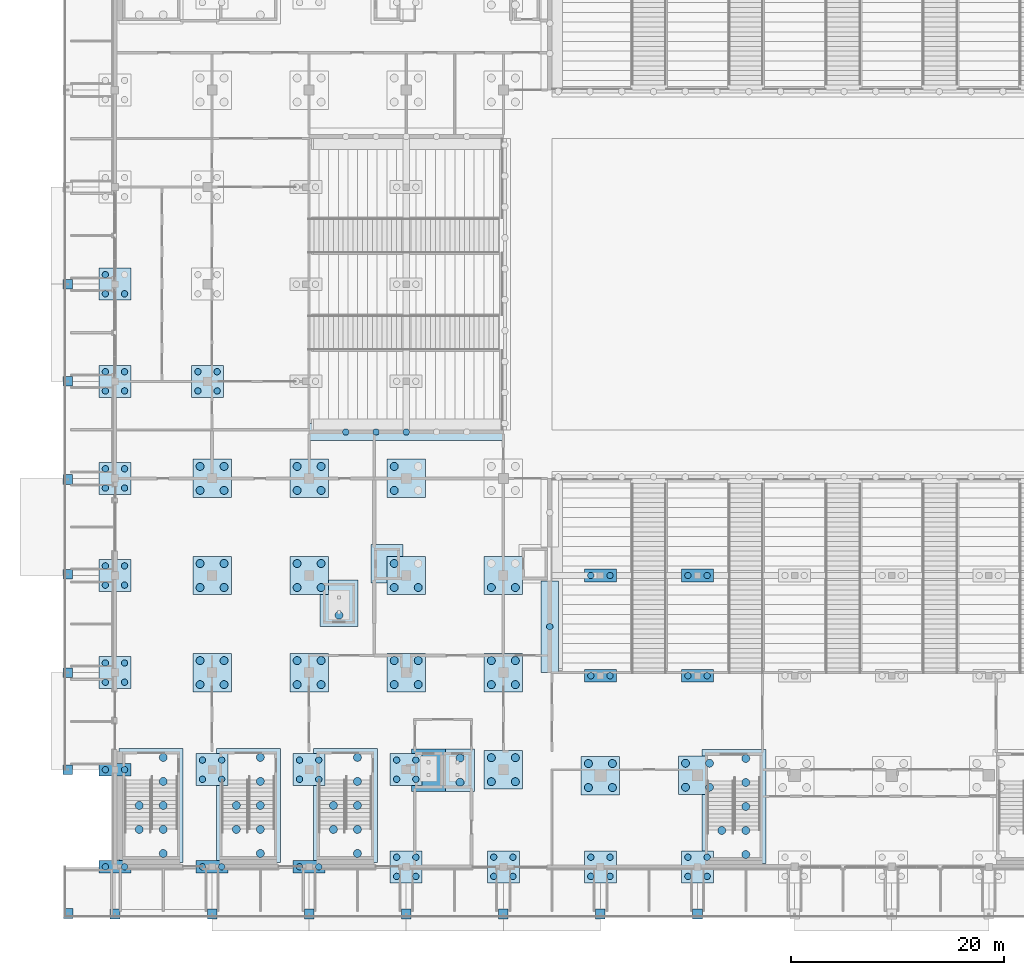
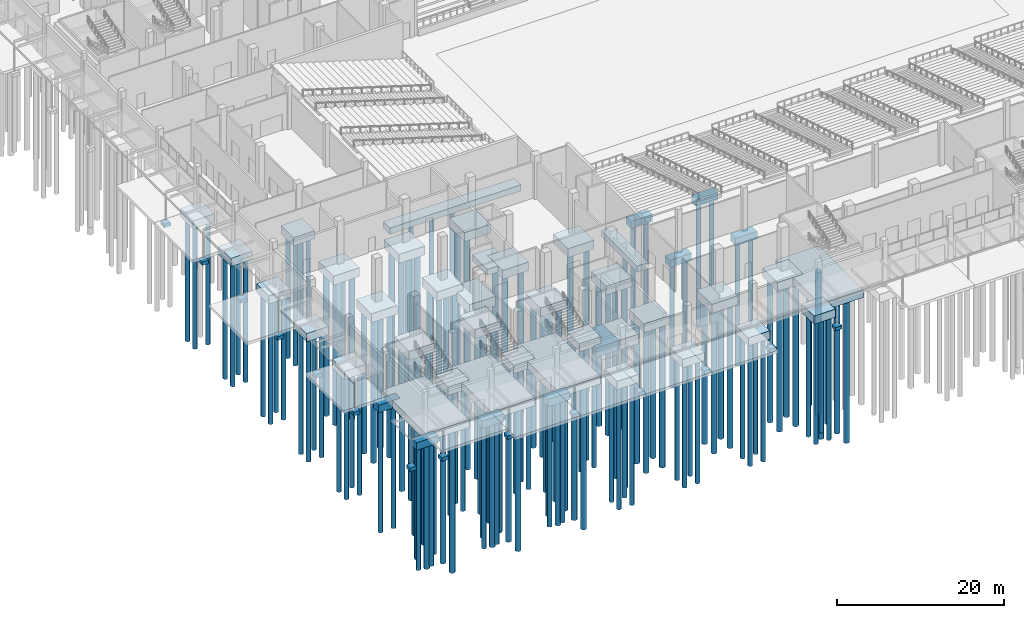
# One storey, part 1 of 129: 152 piles, 59 footings.
"""IFC4 building model written with IfcOpenShell, lengths in metres."""

import ifcopenshell
import ifcopenshell.guid

model = None  # the IFC model being written
_history = None  # IfcOwnerHistory: only IFC2X3 demands one
_inside = {}  # id of a spatial element -> (the spatial element, [elements in it])
_under = {}  # id of a project, library or spatial element -> (it, [spatial elements below it])
_declared = {}  # id of a project -> (the project, [libraries it declares])
_typed = {}  # id of a type object -> (the type object, [elements of that type])
_made_of = {}  # id of a material, layer set ... -> (it, [elements and type objects made of it])


def new_model(schema):
    """Start an empty IFC model of exactly this schema.

    Asked for "IFC4X3", IfcOpenShell would pick the latest addendum, in which some entities
    have other attributes; the version numbers below select the first issue.
    IFC2X3 requires an IfcOwnerHistory on every rooted entity: one is made here for all.
    """
    global model, _history
    if schema == "IFC4X3":
        model = ifcopenshell.file(schema_version=(4, 3, 0, 0))
    else:
        model = ifcopenshell.file(schema=schema)
    _inside.clear()
    _under.clear()
    _declared.clear()
    _typed.clear()
    _made_of.clear()
    _history = None
    if model.schema == "IFC2X3":
        org = make("IfcOrganization", Name="unknown")
        user = make(
            "IfcPersonAndOrganization",
            ThePerson=make("IfcPerson", FamilyName="unknown"),
            TheOrganization=org,
        )
        app = make(
            "IfcApplication",
            ApplicationDeveloper=org,
            Version="unknown",
            ApplicationFullName="unknown",
            ApplicationIdentifier="unknown",
        )
        _history = make(
            "IfcOwnerHistory",
            OwningUser=user,
            OwningApplication=app,
            ChangeAction="ADDED",
            CreationDate=0,
        )
    return model


def make(cls, **values):
    """One entity of the class cls with the attributes given. An attribute that is None is left unset."""
    return model.create_entity(
        cls, **{name: value for name, value in values.items() if value is not None}
    )


def rooted(cls, **values):
    """An entity with a GlobalId (a new one), such as an element, a storey or a relation."""
    return make(cls, GlobalId=ifcopenshell.guid.new(), OwnerHistory=_history, **values)


def si_unit(unit_type, name, prefix=None):
    """IfcSIUnit, for example si_unit("LENGTHUNIT", "METRE", prefix="MILLI")."""
    return make("IfcSIUnit", UnitType=unit_type, Prefix=prefix, Name=name)


def assignment(units):
    """IfcUnitAssignment: the units of a project."""
    return None if units is None else make("IfcUnitAssignment", Units=units)


def point(xyz):
    """IfcCartesianPoint."""
    return None if xyz is None else make("IfcCartesianPoint", Coordinates=xyz)


def direction(xyz):
    """IfcDirection."""
    return None if xyz is None else make("IfcDirection", DirectionRatios=xyz)


def frame(location, z_axis=None, x_axis=None):
    """IfcAxis2Placement3D, a coordinate frame: its origin and axes. An axis left out is left unset."""
    return make(
        "IfcAxis2Placement3D",
        Location=point(location),
        Axis=direction(z_axis),
        RefDirection=direction(x_axis),
    )


def frame_2d(location, x_axis=None):
    """IfcAxis2Placement2D, a coordinate frame in the plane: its origin and x axis."""
    return make(
        "IfcAxis2Placement2D", Location=point(location), RefDirection=direction(x_axis)
    )


def origin():
    """The frame at (0, 0, 0) with its axes left unset."""
    return frame((0.0, 0.0, 0.0))


def origin_2d():
    """The frame at (0, 0) in the plane with its x axis left unset."""
    return frame_2d((0.0, 0.0))


def place(relative_to, where):
    """IfcLocalPlacement: puts the frame where relative to a parent placement (None: the world)."""
    return make(
        "IfcLocalPlacement", PlacementRelTo=relative_to, RelativePlacement=where
    )


def context(
    kind, dimensions, precision=None, world=None, true_north=None, identifier=None
):
    """IfcGeometricRepresentationContext, for example the 3D "Model" context."""
    return make(
        "IfcGeometricRepresentationContext",
        ContextIdentifier=identifier,
        ContextType=kind,
        CoordinateSpaceDimension=dimensions,
        Precision=precision,
        WorldCoordinateSystem=world,
        TrueNorth=true_north,
    )


def subcontext(parent, identifier, kind, view, scale=None):
    """IfcGeometricRepresentationSubContext, for example "Body" below "Model"."""
    return make(
        "IfcGeometricRepresentationSubContext",
        ContextIdentifier=identifier,
        ContextType=kind,
        ParentContext=parent,
        TargetScale=scale,
        TargetView=view,
    )


def project(units=None, contexts=None):
    """IfcProject with its units and contexts."""
    return rooted(
        "IfcProject",
        Name="project",
        RepresentationContexts=contexts,
        UnitsInContext=assignment(units),
    )


def spatial(cls, under=None, at=None, **own):
    """A site, building, storey or space (cls), placed at a placement, below another one or the project."""
    s = rooted(cls, ObjectPlacement=at, **own)
    if under is not None:
        _under.setdefault(under.id(), (under, []))[1].append(s)
    return s


def polyline(points):
    """IfcPolyline through the points."""
    return make("IfcPolyline", Points=[point(p) for p in points])


def profile(cls, at=None, kind="AREA", **sizes):
    """A parametric profile (cls). Its sizes go by their IFC names, for example OverallWidth=200.0."""
    return make(cls, ProfileType=kind, Position=at, **sizes)


def rectangle(**sizes):
    """IfcRectangleProfileDef."""
    return profile("IfcRectangleProfileDef", **sizes)


def circle(**sizes):
    """IfcCircleProfileDef."""
    return profile("IfcCircleProfileDef", **sizes)


def outline(outer, holes=None, kind="AREA"):
    """IfcArbitraryClosedProfileDef: a profile drawn as a closed curve; with holes, ...WithVoids."""
    if holes is None:
        return make("IfcArbitraryClosedProfileDef", ProfileType=kind, OuterCurve=outer)
    return make(
        "IfcArbitraryProfileDefWithVoids",
        ProfileType=kind,
        OuterCurve=outer,
        InnerCurves=holes,
    )


def extrude(swept, where, along, depth):
    """IfcExtrudedAreaSolid: the profile swept, set in the frame where, extruded along a direction by depth."""
    return make(
        "IfcExtrudedAreaSolid",
        SweptArea=swept,
        Position=where,
        ExtrudedDirection=direction(along),
        Depth=depth,
    )


def shape(context_of_items, identifier, shape_type, items):
    """IfcShapeRepresentation: the items that make up one representation, for example the "Body"."""
    return make(
        "IfcShapeRepresentation",
        ContextOfItems=context_of_items,
        RepresentationIdentifier=identifier,
        RepresentationType=shape_type,
        Items=items,
    )


def material(Name=None, Category=None):
    """IfcMaterial."""
    return make("IfcMaterial", Name=Name, Category=Category)


def material_profile(
    of_material, cross_section, Name=None, Category=None, Priority=None
):
    """IfcMaterialProfile: a cross section and its material."""
    return make(
        "IfcMaterialProfile",
        Name=Name,
        Material=of_material,
        Profile=cross_section,
        Priority=Priority,
        Category=Category,
    )


def profile_set(profiles, Name=None, composite=None):
    """IfcMaterialProfileSet."""
    return make(
        "IfcMaterialProfileSet",
        Name=Name,
        MaterialProfiles=profiles,
        CompositeProfile=composite,
    )


def made_of(thing, what):
    """Note that an element or type object is made of a material, layer set ...; save() writes the relation."""
    if what is not None:
        _made_of.setdefault(what.id(), (what, []))[1].append(thing)
    return thing


def type_object(cls, material=None, **own):
    """A type object (cls), such as IfcWallType, which elements share."""
    return made_of(rooted(cls, **own), material)


def element(
    cls,
    number,
    at=None,
    inside=None,
    cuts=None,
    type_object=None,
    material=None,
    context=None,
    identifier="Body",
    shape_type=None,
    held_by="IfcProductDefinitionShape",
    body=None,
    shapes=None,
    **own,
):
    """One element of the class cls, such as IfcWall. Its Tag is "e" and its number.

    at: its placement. inside: the storey or other place that contains it. cuts: it is an
    opening in that element (IfcRelVoidsElement). A single representation is given by context,
    identifier, shape_type and body (its items); several are given by shapes. held_by: the class
    of the entity that holds the representations. save() writes the other relations.
    """
    e = rooted(cls, Tag="e%d" % number, ObjectPlacement=at, **own)
    if body is not None:
        shapes = [shape(context, identifier, shape_type, body)]
    if shapes is not None:
        e.Representation = make(held_by, Representations=shapes)
    if inside is not None:
        _inside.setdefault(inside.id(), (inside, []))[1].append(e)
    if cuts is not None:
        rooted(
            "IfcRelVoidsElement", RelatingBuildingElement=cuts, RelatedOpeningElement=e
        )
    if type_object is not None:
        _typed.setdefault(type_object.id(), (type_object, []))[1].append(e)
    return made_of(e, material)


def aggregate(whole, parts):
    """IfcRelAggregates: a whole, such as a stair, and the parts it consists of."""
    return rooted("IfcRelAggregates", RelatingObject=whole, RelatedObjects=parts)


def save(model, path):
    """Write the relations noted so far, then the file.

    IfcRelAggregates (storeys below a building ...), IfcRelContainedInSpatialStructure (elements
    in a storey), IfcRelDefinesByType, IfcRelAssociatesMaterial and IfcRelDeclares: one each for
    every whole, place, type object, material and project.
    """
    for whole, parts in _under.values():
        aggregate(whole, parts)
    for where, things in _inside.values():
        rooted(
            "IfcRelContainedInSpatialStructure",
            RelatedElements=things,
            RelatingStructure=where,
        )
    for kind, things in _typed.values():
        rooted("IfcRelDefinesByType", RelatedObjects=things, RelatingType=kind)
    for what, things in _made_of.values():
        rooted("IfcRelAssociatesMaterial", RelatedObjects=things, RelatingMaterial=what)
    for by, libraries in _declared.values():
        rooted("IfcRelDeclares", RelatingContext=by, RelatedDefinitions=libraries)
    model.write(path)


model = new_model("IFC4")

# Units and contexts
model_context = context("Model", 3, precision=1e-05, world=origin(), true_north=direction((0.0, 1.0)))
body_context = subcontext(model_context, "Body", "Model", "MODEL_VIEW")
ifc_project = project(units=[si_unit("LENGTHUNIT", "METRE"), si_unit("AREAUNIT", "SQUARE_METRE"), si_unit("VOLUMEUNIT", "CUBIC_METRE"), si_unit("PLANEANGLEUNIT", "RADIAN"), si_unit("MASSUNIT", "GRAM", prefix="KILO")], contexts=[model_context])

# Site, building, storey
site_placement = place(None, origin())
site = spatial("IfcSite", under=ifc_project, at=site_placement, CompositionType="ELEMENT")
building_placement = place(site_placement, origin())
building = spatial("IfcBuilding", under=site, at=building_placement, Name="Shirokan Park Arena", CompositionType="ELEMENT")
storey_placement = place(building_placement, origin())
storey = spatial("IfcBuildingStorey", under=building, at=storey_placement, Name="L00", CompositionType="ELEMENT", Elevation=0.0)

# Piles
ifc_material = material(Name="Concrete C30", Category="concrete")
ifc_material_profile_1 = material_profile(ifc_material, circle(Radius=0.300048828125, at=origin_2d()), Name="D600")
ifc_profile_set_1 = profile_set([ifc_material_profile_1], Name="Concrete C30")
pile_type_1 = type_object("IfcPileType", Name="Bored pile 600", PredefinedType="BORED", material=ifc_profile_set_1)
for number, where, z_axis, x_axis, name in (
    (1, (-0.89990234375, 0.0, -1.5), (0.0, 0.0, -1.0), (1.0, 0.0, 0.0), "Bored pile 1A 1"),
    (2, (0.89990234375, 0.0, -1.5), (0.0, 0.0, -1.0), (1.0, 0.0, 0.0), "Bored pile 1A 2"),
    (3, (-0.89990234375, 9.10009765625, -1.5), (0.0, 0.0, -1.0), (1.0, 0.0, 0.0), "Bored pile 1B 1"),
    (4, (0.89990234375, 9.10009765625, -1.5), (0.0, 0.0, -1.0), (1.0, 0.0, 0.0), "Bored pile 1B 2"),
    (5, (-0.89990234375, 17.300048828125, -1.60009765625), (0.0, 0.0, -1.0), (1.0, 0.0, 0.0), "Bored pile 1C 1"),
    (6, (-0.89990234375, 19.10009765625, -1.60009765625), (0.0, 0.0, -1.0), (1.0, 0.0, 0.0), "Bored pile 1C 2"),
    (7, (0.89990234375, 17.300048828125, -1.60009765625), (0.0, 0.0, -1.0), (1.0, 0.0, 0.0), "Bored pile 1C 3"),
    (8, (0.89990234375, 19.10009765625, -1.60009765625), (0.0, 0.0, -1.0), (1.0, 0.0, 0.0), "Bored pile 1C 4"),
    (9, (-0.89990234375, 26.39990234375, -1.60009765625), (0.0, 0.0, -1.0), (1.0, 0.0, 0.0), "Bored pile 1D 1"),
    (10, (-0.89990234375, 28.199951171875, -1.60009765625), (0.0, 0.0, -1.0), (1.0, 0.0, 0.0), "Bored pile 1D 2"),
    (11, (0.89990234375, 26.39990234375, -1.60009765625), (0.0, 0.0, -1.0), (1.0, 0.0, 0.0), "Bored pile 1D 3"),
    (12, (0.89990234375, 28.199951171875, -1.60009765625), (0.0, 0.0, -1.0), (1.0, 0.0, 0.0), "Bored pile 1D 4"),
    (13, (-0.89990234375, 35.5, -1.60009765625), (0.0, 0.0, -1.0), (1.0, 0.0, 0.0), "Bored pile 1E 1"),
    (14, (-0.89990234375, 37.300048828125, -1.60009765625), (0.0, 0.0, -1.0), (1.0, 0.0, 0.0), "Bored pile 1E 2"),
    (15, (0.89990234375, 35.5, -1.60009765625), (0.0, 0.0, -1.0), (1.0, 0.0, 0.0), "Bored pile 1E 3"),
    (16, (0.89990234375, 37.300048828125, -1.60009765625), (0.0, 0.0, -1.0), (1.0, 0.0, 0.0), "Bored pile 1E 4"),
    (17, (-0.89990234375, 44.60009765625, -1.60009765625), (0.0, 0.0, -1.0), (1.0, 0.0, 0.0), "Bored pile 1F 1"),
    (18, (-0.89990234375, 46.39990234375, -1.60009765625), (0.0, 0.0, -1.0), (1.0, 0.0, 0.0), "Bored pile 1F 2"),
    (19, (0.89990234375, 44.60009765625, -1.60009765625), (0.0, 0.0, -1.0), (1.0, 0.0, 0.0), "Bored pile 1F 3"),
    (20, (0.89990234375, 46.39990234375, -1.60009765625), (0.0, 0.0, -1.0), (1.0, 0.0, 0.0), "Bored pile 1F 4"),
    (21, (-0.89990234375, 53.699951171875, -1.60009765625), (0.0, 0.0, -1.0), (1.0, 0.0, 0.0), "Bored pile 1G 1"),
    (22, (-0.89990234375, 55.5, -1.60009765625), (0.0, 0.0, -1.0), (1.0, 0.0, 0.0), "Bored pile 1G 2"),
    (23, (0.89990234375, 53.699951171875, -1.60009765625), (0.0, 0.0, -1.0), (1.0, 0.0, 0.0), "Bored pile 1G 3"),
    (24, (8.199951171875, 0.0, -1.5), (0.0, 0.0, -1.0), (1.0, 0.0, 0.0), "Bored pile 2A 1"),
    (25, (10.0, 0.0, -1.5), (0.0, 0.0, -1.0), (1.0, 0.0, 0.0), "Bored pile 2A 2"),
    (26, (8.199951171875, 8.199951171875, -1.60009765625), (0.0, 0.0, -1.0), (1.0, 0.0, 0.0), "Bored pile 2B 1"),
    (27, (8.199951171875, 10.0, -1.60009765625), (0.0, 0.0, -1.0), (1.0, 0.0, 0.0), "Bored pile 2B 2"),
    (28, (10.0, 8.199951171875, -1.60009765625), (0.0, 0.0, -1.0), (1.0, 0.0, 0.0), "Bored pile 2B 3"),
    (29, (10.0, 10.0, -1.60009765625), (0.0, 0.0, -1.0), (1.0, 0.0, 0.0), "Bored pile 2B 4"),
    (30, (7.77490234375, 44.60009765625, -1.60009765625), (0.0, 0.0, -1.0), (1.0, 0.0, 0.0), "Bored pile 2F 1"),
    (31, (7.77490234375, 46.39990234375, -1.60009765625), (0.0, 0.0, -1.0), (1.0, 0.0, 0.0), "Bored pile 2F 2"),
    (32, (9.574951171875, 44.60009765625, -1.60009765625), (0.0, 0.0, -1.0), (1.0, 0.0, 0.0), "Bored pile 2F 3"),
    (33, (9.574951171875, 46.39990234375, -1.60009765625), (0.0, 0.0, -1.0), (1.0, 0.0, 0.0), "Bored pile 2F 4"),
    (34, (17.300048828125, 0.0, -1.5), (0.0, 0.0, -1.0), (1.0, 0.0, 0.0), "Bored pile 3A 1"),
    (35, (19.10009765625, 0.0, -1.5), (0.0, 0.0, -1.0), (1.0, 0.0, 0.0), "Bored pile 3A 2"),
    (36, (17.300048828125, 8.199951171875, -1.60009765625), (0.0, 0.0, -1.0), (1.0, 0.0, 0.0), "Bored pile 3B 1"),
    (37, (17.300048828125, 10.0, -1.60009765625), (0.0, 0.0, -1.0), (1.0, 0.0, 0.0), "Bored pile 3B 2"),
    (38, (19.10009765625, 8.199951171875, -1.60009765625), (0.0, 0.0, -1.0), (1.0, 0.0, 0.0), "Bored pile 3B 3"),
    (39, (19.10009765625, 10.0, -1.60009765625), (0.0, 0.0, -1.0), (1.0, 0.0, 0.0), "Bored pile 3B 4"),
    (40, (26.39990234375, -0.89990234375, -1.60009765625), (0.0, 0.0, -1.0), (1.0, 0.0, 0.0), "Bored pile 4A 1"),
    (41, (26.39990234375, 0.89990234375, -1.60009765625), (0.0, 0.0, -1.0), (1.0, 0.0, 0.0), "Bored pile 4A 2"),
    (42, (28.199951171875, -0.89990234375, -1.60009765625), (0.0, 0.0, -1.0), (1.0, 0.0, 0.0), "Bored pile 4A 3"),
    (43, (28.199951171875, 0.89990234375, -1.60009765625), (0.0, 0.0, -1.0), (1.0, 0.0, 0.0), "Bored pile 4A 4"),
    (44, (26.39990234375, 8.199951171875, -1.60009765625), (0.0, 0.0, -1.0), (1.0, 0.0, 0.0), "Bored pile 4B 1"),
    (45, (26.39990234375, 10.0, -1.60009765625), (0.0, 0.0, -1.0), (1.0, 0.0, 0.0), "Bored pile 4B 2"),
    (46, (28.199951171875, 8.199951171875, -1.60009765625), (0.0, 0.0, -1.0), (1.0, 0.0, 0.0), "Bored pile 4B 3"),
    (47, (28.199951171875, 10.0, -1.60009765625), (0.0, 0.0, -1.0), (1.0, 0.0, 0.0), "Bored pile 4B 4"),
    (48, (35.5, -0.89990234375, -1.60009765625), (0.0, 0.0, -1.0), (1.0, 0.0, 0.0), "Bored pile 5A 1"),
    (49, (35.5, 0.89990234375, -1.60009765625), (0.0, 0.0, -1.0), (1.0, 0.0, 0.0), "Bored pile 5A 2"),
    (50, (37.300048828125, -0.89990234375, -1.60009765625), (0.0, 0.0, -1.0), (1.0, 0.0, 0.0), "Bored pile 5A 3"),
    (51, (37.300048828125, 0.89990234375, -1.60009765625), (0.0, 0.0, -1.0), (1.0, 0.0, 0.0), "Bored pile 5A 4"),
    (52, (44.60009765625, -0.89990234375, -1.60009765625), (0.0, 0.0, -1.0), (1.0, 0.0, 0.0), "Bored pile 6A 1"),
    (53, (44.60009765625, 0.89990234375, -1.60009765625), (0.0, 0.0, -1.0), (1.0, 0.0, 0.0), "Bored pile 6A 2"),
    (54, (46.39990234375, -0.89990234375, -1.60009765625), (0.0, 0.0, -1.0), (1.0, 0.0, 0.0), "Bored pile 6A 3"),
    (55, (46.39990234375, 0.89990234375, -1.60009765625), (0.0, 0.0, -1.0), (1.0, 0.0, 0.0), "Bored pile 6A 4"),
    (56, (44.60009765625, 17.89990234375, -1.5), (0.0, 0.0, -1.0), (1.0, 0.0, 0.0), "Bored pile 6C 1"),
    (57, (46.39990234375, 17.89990234375, -1.5), (0.0, 0.0, -1.0), (1.0, 0.0, 0.0), "Bored pile 6C 2"),
    (58, (44.60009765625, 27.300048828125, -1.5), (0.0, 0.0, -1.0), (1.0, 0.0, 0.0), "Bored pile 6D 1"),
    (59, (46.39990234375, 27.300048828125, -1.5), (0.0, 0.0, -1.0), (1.0, 0.0, 0.0), "Bored pile 6D 2"),
    (60, (53.699951171875, -0.89990234375, -1.60009765625), (0.0, 0.0, -1.0), (1.0, 0.0, 0.0), "Bored pile 7A 1"),
    (61, (53.699951171875, 0.89990234375, -1.60009765625), (0.0, 0.0, -1.0), (1.0, 0.0, 0.0), "Bored pile 7A 2"),
    (62, (55.5, -0.89990234375, -1.60009765625), (0.0, 0.0, -1.0), (1.0, 0.0, 0.0), "Bored pile 7A 3"),
    (63, (55.5, 0.89990234375, -1.60009765625), (0.0, 0.0, -1.0), (1.0, 0.0, 0.0), "Bored pile 7A 4"),
    (64, (53.699951171875, 17.89990234375, -1.5), (0.0, 0.0, -1.0), (1.0, 0.0, 0.0), "Bored pile 7C 1"),
    (65, (55.5, 17.89990234375, -1.5), (0.0, 0.0, -1.0), (1.0, 0.0, 0.0), "Bored pile 7C 2"),
    (66, (53.699951171875, 27.300048828125, -1.5), (0.0, 0.0, -1.0), (1.0, 0.0, 0.0), "Bored pile 7D 1"),
    (67, (55.5, 27.300048828125, -1.5), (0.0, 0.0, -1.0), (1.0, 0.0, 0.0), "Bored pile 7D 2"),
    (68, (40.75, 22.50439453125, -1.300048828125), (0.0, 0.0, -1.0), (1.0, 0.0, 0.0), "Bored pile flank wall S1 1"),
    (69, (27.300048828125, 40.75, -1.300048828125), (0.0, 0.0, -1.0), (1.0, 0.0, 0.0), "Bored pile flank wall W1 3"),
    (70, (24.466552734375, 40.75, -1.300048828125), (0.0, 0.0, -1.0), (1.0, 0.0, 0.0), "Bored pile flank wall W1 4"),
    (71, (21.63330078125, 40.75, -1.300048828125), (0.0, 0.0, -1.0), (1.0, 0.0, 0.0), "Bored pile flank wall W1 5"),
):
    element("IfcPile", number, at=place(storey_placement, frame(where, z_axis=z_axis, x_axis=x_axis)), inside=storey, type_object=pile_type_1, Name=name, PredefinedType="BORED", context=body_context, shape_type="SweptSolid", body=[
        extrude(circle(Radius=0.300048828125, at=origin_2d()), origin(), (0.0, 0.0, 1.0), 18.0),
    ])
ifc_material_profile_2 = material_profile(ifc_material, circle(Radius=0.375, at=origin_2d()), Name="D750")
ifc_profile_set_2 = profile_set([ifc_material_profile_2], Name="Concrete C30")
pile_type_2 = type_object("IfcPileType", Name="Bored pile 750", PredefinedType="BORED", material=ifc_profile_set_2)
for number, where, z_axis, x_axis, name in (
    (72, (7.97509765625, 17.074951171875, -1.699951171875), (0.0, 0.0, -1.0), (1.0, 0.0, 0.0), "Bored pile 2C 1"),
    (73, (7.97509765625, 19.324951171875, -1.699951171875), (0.0, 0.0, -1.0), (1.0, 0.0, 0.0), "Bored pile 2C 2"),
    (74, (10.22509765625, 17.074951171875, -1.699951171875), (0.0, 0.0, -1.0), (1.0, 0.0, 0.0), "Bored pile 2C 3"),
    (75, (10.22509765625, 19.324951171875, -1.699951171875), (0.0, 0.0, -1.0), (1.0, 0.0, 0.0), "Bored pile 2C 4"),
    (76, (7.97509765625, 26.175048828125, -1.699951171875), (0.0, 0.0, -1.0), (1.0, 0.0, 0.0), "Bored pile 2D 1"),
    (77, (7.97509765625, 28.425048828125, -1.699951171875), (0.0, 0.0, -1.0), (1.0, 0.0, 0.0), "Bored pile 2D 2"),
    (78, (10.22509765625, 26.175048828125, -1.699951171875), (0.0, 0.0, -1.0), (1.0, 0.0, 0.0), "Bored pile 2D 3"),
    (79, (10.22509765625, 28.425048828125, -1.699951171875), (0.0, 0.0, -1.0), (1.0, 0.0, 0.0), "Bored pile 2D 4"),
    (80, (7.97509765625, 35.27490234375, -1.699951171875), (0.0, 0.0, -1.0), (1.0, 0.0, 0.0), "Bored pile 2E 1"),
    (81, (7.97509765625, 37.52490234375, -1.699951171875), (0.0, 0.0, -1.0), (1.0, 0.0, 0.0), "Bored pile 2E 2"),
    (82, (10.22509765625, 35.27490234375, -1.699951171875), (0.0, 0.0, -1.0), (1.0, 0.0, 0.0), "Bored pile 2E 3"),
    (83, (10.22509765625, 37.52490234375, -1.699951171875), (0.0, 0.0, -1.0), (1.0, 0.0, 0.0), "Bored pile 2E 4"),
    (84, (17.074951171875, 17.074951171875, -1.699951171875), (0.0, 0.0, -1.0), (1.0, 0.0, 0.0), "Bored pile 3C 1"),
    (85, (17.074951171875, 19.324951171875, -1.699951171875), (0.0, 0.0, -1.0), (1.0, 0.0, 0.0), "Bored pile 3C 2"),
    (86, (19.324951171875, 17.074951171875, -1.699951171875), (0.0, 0.0, -1.0), (1.0, 0.0, 0.0), "Bored pile 3C 3"),
    (87, (19.324951171875, 19.324951171875, -1.699951171875), (0.0, 0.0, -1.0), (1.0, 0.0, 0.0), "Bored pile 3C 4"),
    (88, (17.074951171875, 26.175048828125, -1.699951171875), (0.0, 0.0, -1.0), (1.0, 0.0, 0.0), "Bored pile 3D 1"),
    (89, (17.074951171875, 28.425048828125, -1.699951171875), (0.0, 0.0, -1.0), (1.0, 0.0, 0.0), "Bored pile 3D 2"),
    (90, (19.324951171875, 26.175048828125, -1.699951171875), (0.0, 0.0, -1.0), (1.0, 0.0, 0.0), "Bored pile 3D 3"),
    (91, (19.324951171875, 28.425048828125, -1.699951171875), (0.0, 0.0, -1.0), (1.0, 0.0, 0.0), "Bored pile 3D 4"),
    (92, (17.074951171875, 35.27490234375, -1.699951171875), (0.0, 0.0, -1.0), (1.0, 0.0, 0.0), "Bored pile 3E 1"),
    (93, (17.074951171875, 37.52490234375, -1.699951171875), (0.0, 0.0, -1.0), (1.0, 0.0, 0.0), "Bored pile 3E 2"),
    (94, (19.324951171875, 35.27490234375, -1.699951171875), (0.0, 0.0, -1.0), (1.0, 0.0, 0.0), "Bored pile 3E 3"),
    (95, (19.324951171875, 37.52490234375, -1.699951171875), (0.0, 0.0, -1.0), (1.0, 0.0, 0.0), "Bored pile 3E 4"),
    (96, (26.175048828125, 17.074951171875, -1.699951171875), (0.0, 0.0, -1.0), (1.0, 0.0, 0.0), "Bored pile 4C 1"),
    (97, (26.175048828125, 19.324951171875, -1.699951171875), (0.0, 0.0, -1.0), (1.0, 0.0, 0.0), "Bored pile 4C 2"),
    (98, (28.425048828125, 17.074951171875, -1.699951171875), (0.0, 0.0, -1.0), (1.0, 0.0, 0.0), "Bored pile 4C 3"),
    (99, (28.425048828125, 19.324951171875, -1.699951171875), (0.0, 0.0, -1.0), (1.0, 0.0, 0.0), "Bored pile 4C 4"),
    (100, (26.175048828125, 26.175048828125, -1.699951171875), (0.0, 0.0, -1.0), (1.0, 0.0, 0.0), "Bored pile 4D 1"),
    (101, (26.175048828125, 28.425048828125, -1.699951171875), (0.0, 0.0, -1.0), (1.0, 0.0, 0.0), "Bored pile 4D 2"),
    (102, (28.425048828125, 26.175048828125, -1.699951171875), (0.0, 0.0, -1.0), (1.0, 0.0, 0.0), "Bored pile 4D 3"),
    (103, (26.175048828125, 35.27490234375, -1.699951171875), (0.0, 0.0, -1.0), (1.0, 0.0, 0.0), "Bored pile 4E 1"),
    (104, (26.175048828125, 37.52490234375, -1.699951171875), (0.0, 0.0, -1.0), (1.0, 0.0, 0.0), "Bored pile 4E 2"),
    (105, (35.27490234375, 7.97509765625, -1.699951171875), (0.0, 0.0, -1.0), (1.0, 0.0, 0.0), "Bored pile 5B 1"),
    (106, (35.27490234375, 10.22509765625, -1.699951171875), (0.0, 0.0, -1.0), (1.0, 0.0, 0.0), "Bored pile 5B 2"),
    (107, (37.52490234375, 7.97509765625, -1.699951171875), (0.0, 0.0, -1.0), (1.0, 0.0, 0.0), "Bored pile 5B 3"),
    (108, (37.52490234375, 10.22509765625, -1.699951171875), (0.0, 0.0, -1.0), (1.0, 0.0, 0.0), "Bored pile 5B 4"),
    (109, (35.27490234375, 17.074951171875, -1.699951171875), (0.0, 0.0, -1.0), (1.0, 0.0, 0.0), "Bored pile 5C 1"),
    (110, (35.27490234375, 19.324951171875, -1.699951171875), (0.0, 0.0, -1.0), (1.0, 0.0, 0.0), "Bored pile 5C 2"),
    (111, (37.52490234375, 17.074951171875, -1.699951171875), (0.0, 0.0, -1.0), (1.0, 0.0, 0.0), "Bored pile 5C 3"),
    (112, (37.52490234375, 19.324951171875, -1.699951171875), (0.0, 0.0, -1.0), (1.0, 0.0, 0.0), "Bored pile 5C 4"),
    (113, (35.27490234375, 26.175048828125, -1.699951171875), (0.0, 0.0, -1.0), (1.0, 0.0, 0.0), "Bored pile 5D 1"),
    (114, (37.52490234375, 26.175048828125, -1.699951171875), (0.0, 0.0, -1.0), (1.0, 0.0, 0.0), "Bored pile 5D 3"),
    (115, (44.375, 7.425048828125, -1.699951171875), (0.0, 0.0, -1.0), (1.0, 0.0, 0.0), "Bored pile 6B 1"),
    (116, (44.375, 9.675048828125, -1.699951171875), (0.0, 0.0, -1.0), (1.0, 0.0, 0.0), "Bored pile 6B 2"),
    (117, (46.625, 7.425048828125, -1.699951171875), (0.0, 0.0, -1.0), (1.0, 0.0, 0.0), "Bored pile 6B 3"),
    (118, (46.625, 9.675048828125, -1.699951171875), (0.0, 0.0, -1.0), (1.0, 0.0, 0.0), "Bored pile 6B 4"),
    (119, (53.47509765625, 7.449951171875, -1.699951171875), (0.0, 0.0, -1.0), (1.0, 0.0, 0.0), "Bored pile 7B 1"),
    (120, (53.47509765625, 9.699951171875, -1.699951171875), (0.0, 0.0, -1.0), (1.0, 0.0, 0.0), "Bored pile 7B 2"),
    (121, (55.72509765625, 7.449951171875, -1.699951171875), (0.0, 0.0, -1.0), (1.0, 0.0, 0.0), "Bored pile 7B 3"),
    (122, (55.72509765625, 9.699951171875, -1.699951171875), (0.0, 0.0, -1.0), (1.0, 0.0, 0.0), "Bored pile 7B 4"),
    (123, (32.35009765625, 7.925048828125, -2.800048828125), (0.0, 0.0, -1.0), (1.0, 0.0, 0.0), "Bored pile Passenger Lift 1.2 1"),
    (124, (32.35009765625, 10.175048828125, -2.800048828125), (0.0, 0.0, -1.0), (1.0, 0.0, 0.0), "Bored pile Passenger Lift 1.2 2"),
    (125, (21.0, 23.574951171875, -2.800048828125), (0.0, 0.0, -1.0), (1.0, 0.0, 0.0), "Bored pile Service Lift 1 1"),
    (126, (2.27490234375, 3.5, -1.5), (0.0, 0.0, -1.0), (1.0, 0.0, 0.0), "Bored pile Exit Stair 1.A 1"),
    (127, (2.27490234375, 5.75, -1.5), (0.0, 0.0, -1.0), (1.0, 0.0, 0.0), "Bored pile Exit Stair 1.A 2"),
    (128, (4.52490234375, 1.25, -1.5), (0.0, 0.0, -1.0), (1.0, 0.0, 0.0), "Bored pile Exit Stair 1.A 3"),
    (129, (4.52490234375, 3.5, -1.5), (0.0, 0.0, -1.0), (1.0, 0.0, 0.0), "Bored pile Exit Stair 1.A 4"),
    (130, (4.52490234375, 5.75, -1.5), (0.0, 0.0, -1.0), (1.0, 0.0, 0.0), "Bored pile Exit Stair 1.A 5"),
    (131, (4.52490234375, 8.0, -1.5), (0.0, 0.0, -1.0), (1.0, 0.0, 0.0), "Bored pile Exit Stair 1.A 6"),
    (132, (4.52490234375, 10.25, -1.5), (0.0, 0.0, -1.0), (1.0, 0.0, 0.0), "Bored pile Exit Stair 1.A 7"),
    (133, (11.375, 3.5, -1.5), (0.0, 0.0, -1.0), (1.0, 0.0, 0.0), "Bored pile Exit Stair 1.B 1"),
    (134, (11.375, 5.75, -1.5), (0.0, 0.0, -1.0), (1.0, 0.0, 0.0), "Bored pile Exit Stair 1.B 2"),
    (135, (13.625, 1.25, -1.5), (0.0, 0.0, -1.0), (1.0, 0.0, 0.0), "Bored pile Exit Stair 1.B 3"),
    (136, (13.625, 3.5, -1.5), (0.0, 0.0, -1.0), (1.0, 0.0, 0.0), "Bored pile Exit Stair 1.B 4"),
    (137, (13.625, 5.75, -1.5), (0.0, 0.0, -1.0), (1.0, 0.0, 0.0), "Bored pile Exit Stair 1.B 5"),
    (138, (13.625, 8.0, -1.5), (0.0, 0.0, -1.0), (1.0, 0.0, 0.0), "Bored pile Exit Stair 1.B 6"),
    (139, (13.625, 10.25, -1.5), (0.0, 0.0, -1.0), (1.0, 0.0, 0.0), "Bored pile Exit Stair 1.B 7"),
    (140, (20.47509765625, 3.5, -1.5), (0.0, 0.0, -1.0), (1.0, 0.0, 0.0), "Bored pile Exit Stair 1.C 1"),
    (141, (20.47509765625, 5.75, -1.5), (0.0, 0.0, -1.0), (1.0, 0.0, 0.0), "Bored pile Exit Stair 1.C 2"),
    (142, (22.72509765625, 1.25, -1.5), (0.0, 0.0, -1.0), (1.0, 0.0, 0.0), "Bored pile Exit Stair 1.C 3"),
    (143, (22.72509765625, 3.5, -1.5), (0.0, 0.0, -1.0), (1.0, 0.0, 0.0), "Bored pile Exit Stair 1.C 4"),
    (144, (22.72509765625, 5.75, -1.5), (0.0, 0.0, -1.0), (1.0, 0.0, 0.0), "Bored pile Exit Stair 1.C 5"),
    (145, (22.72509765625, 8.0, -1.5), (0.0, 0.0, -1.0), (1.0, 0.0, 0.0), "Bored pile Exit Stair 1.C 6"),
    (146, (22.72509765625, 10.25, -1.5), (0.0, 0.0, -1.0), (1.0, 0.0, 0.0), "Bored pile Exit Stair 1.C 7"),
    (147, (56.875, 3.39990234375, -1.5), (0.0, 0.0, -1.0), (1.0, 0.0, 0.0), "Bored pile Entrance Stair E1.1 1"),
    (148, (59.125, 1.14990234375, -1.5), (0.0, 0.0, -1.0), (1.0, 0.0, 0.0), "Bored pile Entrance Stair E1.1 2"),
    (149, (59.125, 3.39990234375, -1.5), (0.0, 0.0, -1.0), (1.0, 0.0, 0.0), "Bored pile Entrance Stair E1.1 3"),
    (150, (59.125, 5.64990234375, -1.5), (0.0, 0.0, -1.0), (1.0, 0.0, 0.0), "Bored pile Entrance Stair E1.1 4"),
    (151, (59.125, 7.89990234375, -1.5), (0.0, 0.0, -1.0), (1.0, 0.0, 0.0), "Bored pile Entrance Stair E1.1 5"),
    (152, (59.125, 10.14990234375, -1.5), (0.0, 0.0, -1.0), (1.0, 0.0, 0.0), "Bored pile Entrance Stair E1.1 6"),
):
    element("IfcPile", number, at=place(storey_placement, frame(where, z_axis=z_axis, x_axis=x_axis)), inside=storey, type_object=pile_type_2, Name=name, PredefinedType="BORED", context=body_context, shape_type="SweptSolid", body=[
        extrude(circle(Radius=0.375, at=origin_2d()), origin(), (0.0, 0.0, 1.0), 21.0),
    ])

# Footings
footing_type_1 = type_object("IfcFootingType", Name="Pad footing 900x900x500", PredefinedType="PAD_FOOTING", material=ifc_material)
for number, where, z_axis, x_axis, name in (
    (153, (0.0, -4.425048828125, -0.89990234375), (0.0, 0.0, 1.0), (1.0, 0.0, 0.0), "Pad footing south grid 1"),
    (154, (9.10009765625, -4.425048828125, -0.89990234375), (0.0, 0.0, 1.0), (1.0, 0.0, 0.0), "Pad footing south grid 2"),
    (155, (18.199951171875, -4.425048828125, -0.89990234375), (0.0, 0.0, 1.0), (1.0, 0.0, 0.0), "Pad footing south grid 3"),
    (156, (27.300048828125, -4.425048828125, -0.89990234375), (0.0, 0.0, 1.0), (1.0, 0.0, 0.0), "Pad footing south grid 4"),
    (157, (36.39990234375, -4.425048828125, -0.89990234375), (0.0, 0.0, 1.0), (1.0, 0.0, 0.0), "Pad footing south grid 5"),
    (158, (45.5, -4.425048828125, -0.89990234375), (0.0, 0.0, 1.0), (1.0, 0.0, 0.0), "Pad footing south grid 6"),
    (159, (54.60009765625, -4.425048828125, -0.89990234375), (0.0, 0.0, 1.0), (1.0, 0.0, 0.0), "Pad footing south grid 7"),
    (160, (-4.425048828125, 54.60009765625, -0.89990234375), (0.0, 0.0, 1.0), (1.0, 0.0, 0.0), "Pad footing west grid 7"),
    (161, (-4.425048828125, 45.5, -0.89990234375), (0.0, 0.0, 1.0), (1.0, 0.0, 0.0), "Pad footing west grid 8"),
    (162, (-4.425048828125, 36.300048828125, -0.89990234375), (0.0, 0.0, 1.0), (1.0, 0.0, 0.0), "Pad footing west grid 9"),
    (163, (-4.425048828125, 27.39990234375, -0.89990234375), (0.0, 0.0, 1.0), (1.0, 0.0, 0.0), "Pad footing west grid 10"),
    (164, (-4.425048828125, 18.199951171875, -0.89990234375), (0.0, 0.0, 1.0), (1.0, 0.0, 0.0), "Pad footing west grid 11"),
    (165, (-4.425048828125, 9.10009765625, -0.89990234375), (0.0, 0.0, 1.0), (1.0, 0.0, 0.0), "Pad footing west grid 12"),
    (166, (-4.375, -4.375, -0.89990234375), (0.0, 0.0, 1.0), (1.0, 0.0, 0.0), "Pad footing SW corner"),
):
    element("IfcFooting", number, at=place(storey_placement, frame(where, z_axis=z_axis, x_axis=x_axis)), inside=storey, type_object=footing_type_1, Name=name, PredefinedType="PAD_FOOTING", context=body_context, shape_type="SweptSolid", body=[
        extrude(rectangle(XDim=0.89990234375, YDim=0.89990234375, at=origin_2d()), origin(), (0.0, 0.0, 1.0), 0.5),
    ])
footing_type_2 = type_object("IfcFootingType", Name="Pile cap 2-pile 3000x1200x1100", PredefinedType="PILE_CAP", material=ifc_material)
for number, where, z_axis, x_axis, name in (
    (167, (0.0, 0.0, -1.5), (0.0, 0.0, 1.0), (1.0, 0.0, 0.0), "Pile cap 1A"),
    (168, (0.0, 9.10009765625, -1.5), (0.0, 0.0, 1.0), (1.0, 0.0, 0.0), "Pile cap 1B"),
    (169, (9.10009765625, 0.0, -1.5), (0.0, 0.0, 1.0), (1.0, 0.0, 0.0), "Pile cap 2A"),
    (170, (18.199951171875, 0.0, -1.5), (0.0, 0.0, 1.0), (1.0, 0.0, 0.0), "Pile cap 3A"),
    (171, (45.5, 17.89990234375, -1.5), (0.0, 0.0, 1.0), (1.0, 0.0, 0.0), "Pile cap 6C"),
    (172, (45.5, 27.300048828125, -1.5), (0.0, 0.0, 1.0), (1.0, 0.0, 0.0), "Pile cap 6D"),
    (173, (54.60009765625, 17.89990234375, -1.5), (0.0, 0.0, 1.0), (1.0, 0.0, 0.0), "Pile cap 7C"),
    (174, (54.60009765625, 27.300048828125, -1.5), (0.0, 0.0, 1.0), (1.0, 0.0, 0.0), "Pile cap 7D"),
):
    element("IfcFooting", number, at=place(storey_placement, frame(where, z_axis=z_axis, x_axis=x_axis)), inside=storey, type_object=footing_type_2, Name=name, PredefinedType="PILE_CAP", context=body_context, shape_type="SweptSolid", body=[
        extrude(rectangle(XDim=3.0, YDim=1.199951171875, at=origin_2d()), origin(), (0.0, 0.0, 1.0), 1.10009765625),
    ])
footing_type_3 = type_object("IfcFootingType", Name="Pile cap 4-pile 3000x3000x1200", PredefinedType="PILE_CAP", material=ifc_material)
for number, where, z_axis, x_axis, name in (
    (175, (0.0, 18.199951171875, -1.60009765625), (0.0, 0.0, 1.0), (1.0, 0.0, 0.0), "Pile cap 1C"),
    (176, (0.0, 27.300048828125, -1.60009765625), (0.0, 0.0, 1.0), (1.0, 0.0, 0.0), "Pile cap 1D"),
    (177, (0.0, 36.39990234375, -1.60009765625), (0.0, 0.0, 1.0), (1.0, 0.0, 0.0), "Pile cap 1E"),
    (178, (0.0, 45.5, -1.60009765625), (0.0, 0.0, 1.0), (1.0, 0.0, 0.0), "Pile cap 1F"),
    (179, (0.0, 54.60009765625, -1.60009765625), (0.0, 0.0, 1.0), (1.0, 0.0, 0.0), "Pile cap 1G"),
    (180, (9.10009765625, 9.10009765625, -1.60009765625), (0.0, 0.0, 1.0), (1.0, 0.0, 0.0), "Pile cap 2B"),
    (181, (8.675048828125, 45.5, -1.60009765625), (0.0, 0.0, 1.0), (1.0, 0.0, 0.0), "Pile cap 2F"),
    (182, (18.199951171875, 9.10009765625, -1.60009765625), (0.0, 0.0, 1.0), (1.0, 0.0, 0.0), "Pile cap 3B"),
    (183, (27.300048828125, 0.0, -1.60009765625), (0.0, 0.0, 1.0), (1.0, 0.0, 0.0), "Pile cap 4A"),
    (184, (27.300048828125, 9.10009765625, -1.60009765625), (0.0, 0.0, 1.0), (1.0, 0.0, 0.0), "Pile cap 4B"),
    (185, (36.39990234375, 0.0, -1.60009765625), (0.0, 0.0, 1.0), (1.0, 0.0, 0.0), "Pile cap 5A"),
    (186, (45.5, 0.0, -1.60009765625), (0.0, 0.0, 1.0), (1.0, 0.0, 0.0), "Pile cap 6A"),
    (187, (54.60009765625, 0.0, -1.60009765625), (0.0, 0.0, 1.0), (1.0, 0.0, 0.0), "Pile cap 7A"),
):
    element("IfcFooting", number, at=place(storey_placement, frame(where, z_axis=z_axis, x_axis=x_axis)), inside=storey, type_object=footing_type_3, Name=name, PredefinedType="PILE_CAP", context=body_context, shape_type="SweptSolid", body=[
        extrude(rectangle(XDim=3.0, YDim=3.0, at=origin_2d()), origin(), (0.0, 0.0, 1.0), 1.199951171875),
    ])
footing_type_4 = type_object("IfcFootingType", Name="Pile cap 4-pile 3600x3600x1300", PredefinedType="PILE_CAP", material=ifc_material)
for number, where, z_axis, x_axis, name in (
    (188, (9.10009765625, 18.199951171875, -1.7001953125), (0.0, 0.0, 1.0), (1.0, 0.0, 0.0), "Pile cap 2C"),
    (189, (9.10009765625, 27.300048828125, -1.7001953125), (0.0, 0.0, 1.0), (1.0, 0.0, 0.0), "Pile cap 2D"),
    (190, (9.10009765625, 36.39990234375, -1.7001953125), (0.0, 0.0, 1.0), (1.0, 0.0, 0.0), "Pile cap 2E"),
    (191, (18.199951171875, 18.199951171875, -1.7001953125), (0.0, 0.0, 1.0), (1.0, 0.0, 0.0), "Pile cap 3C"),
    (192, (18.199951171875, 27.300048828125, -1.7001953125), (0.0, 0.0, 1.0), (1.0, 0.0, 0.0), "Pile cap 3D"),
    (193, (18.199951171875, 36.39990234375, -1.7001953125), (0.0, 0.0, 1.0), (1.0, 0.0, 0.0), "Pile cap 3E"),
    (194, (27.300048828125, 18.199951171875, -1.7001953125), (0.0, 0.0, 1.0), (1.0, 0.0, 0.0), "Pile cap 4C"),
    (195, (27.300048828125, 27.300048828125, -1.7001953125), (0.0, 0.0, 1.0), (1.0, 0.0, 0.0), "Pile cap 4D"),
    (196, (27.300048828125, 36.39990234375, -1.7001953125), (0.0, 0.0, 1.0), (1.0, 0.0, 0.0), "Pile cap 4E"),
    (197, (36.39990234375, 9.10009765625, -1.7001953125), (0.0, 0.0, 1.0), (1.0, 0.0, 0.0), "Pile cap 5B"),
    (198, (36.39990234375, 18.199951171875, -1.7001953125), (0.0, 0.0, 1.0), (1.0, 0.0, 0.0), "Pile cap 5C"),
    (199, (36.39990234375, 27.300048828125, -1.7001953125), (0.0, 0.0, 1.0), (1.0, 0.0, 0.0), "Pile cap 5D"),
    (200, (45.5, 8.550048828125, -1.7001953125), (0.0, 0.0, 1.0), (1.0, 0.0, 0.0), "Pile cap 6B"),
    (201, (54.60009765625, 8.574951171875, -1.7001953125), (0.0, 0.0, 1.0), (1.0, 0.0, 0.0), "Pile cap 7B"),
):
    element("IfcFooting", number, at=place(storey_placement, frame(where, z_axis=z_axis, x_axis=x_axis)), inside=storey, type_object=footing_type_4, Name=name, PredefinedType="PILE_CAP", context=body_context, shape_type="SweptSolid", body=[
        extrude(rectangle(XDim=3.60009765625, YDim=3.60009765625, at=origin_2d()), origin(), (0.0, 0.0, 1.0), 1.300048828125),
    ])
footing_type_5 = type_object("IfcFootingType", Name="Shaft raft 1100", PredefinedType="PILE_CAP", material=ifc_material)
footing_1_placement = place(storey_placement, frame((0.0, 0.0, -1.5)))
element("IfcFooting", 202, at=footing_1_placement, inside=storey, type_object=footing_type_5, Name="Shaft raft Exit Stair 1.A", PredefinedType="PILE_CAP", context=body_context, shape_type="SweptSolid", body=[
    extrude(outline(polyline([(1.5, 9.699951171875), (0.39990234375, 9.699951171875), (0.39990234375, 11.10009765625), (6.39990234375, 11.10009765625), (6.39990234375, 0.39990234375), (1.5, 0.39990234375), (1.5, 0.60009765625), (0.39990234375, 0.60009765625), (0.39990234375, 8.5), (1.5, 8.5), (1.5, 9.699951171875)])), origin(), (0.0, 0.0, 1.0), 1.10009765625),
])
footing_2_placement = place(storey_placement, frame((0.0, 0.0, -1.5)))
element("IfcFooting", 203, at=footing_2_placement, inside=storey, type_object=footing_type_5, Name="Shaft raft Exit Stair 1.B", PredefinedType="PILE_CAP", context=body_context, shape_type="SweptSolid", body=[
    extrude(outline(polyline([(9.5, 7.60009765625), (10.60009765625, 7.60009765625), (10.60009765625, 10.60009765625), (9.5, 10.60009765625), (9.5, 11.10009765625), (15.5, 11.10009765625), (15.5, 0.39990234375), (10.60009765625, 0.39990234375), (10.60009765625, 0.60009765625), (9.5, 0.60009765625), (9.5, 7.60009765625)])), origin(), (0.0, 0.0, 1.0), 1.10009765625),
])
footing_3_placement = place(storey_placement, frame((0.0, 0.0, -1.5)))
element("IfcFooting", 204, at=footing_3_placement, inside=storey, type_object=footing_type_5, Name="Shaft raft Exit Stair 1.C", PredefinedType="PILE_CAP", context=body_context, shape_type="SweptSolid", body=[
    extrude(outline(polyline([(18.60009765625, 0.60009765625), (18.60009765625, 7.60009765625), (19.699951171875, 7.60009765625), (19.699951171875, 10.60009765625), (18.60009765625, 10.60009765625), (18.60009765625, 11.10009765625), (24.60009765625, 11.10009765625), (24.60009765625, 0.39990234375), (19.699951171875, 0.39990234375), (19.699951171875, 0.60009765625), (18.60009765625, 0.60009765625)])), origin(), (0.0, 0.0, 1.0), 1.10009765625),
])
footing_4_placement = place(storey_placement, frame((0.0, 0.0, -1.5)))
element("IfcFooting", 205, at=footing_4_placement, inside=storey, type_object=footing_type_5, Name="Shaft raft Entrance Stair E1.1", PredefinedType="PILE_CAP", context=body_context, shape_type="SweptSolid", body=[
    extrude(outline(polyline([(61.0, 0.300048828125), (56.10009765625, 0.300048828125), (56.10009765625, 1.5), (55.0, 1.5), (55.0, 6.77490234375), (56.39990234375, 6.77490234375), (56.39990234375, 10.375), (55.0, 10.375), (55.0, 11.0), (61.0, 11.0), (61.0, 0.300048828125)])), origin(), (0.0, 0.0, 1.0), 1.10009765625),
])
footing_type_6 = type_object("IfcFootingType", Name="Shaft raft 1400", PredefinedType="PILE_CAP", material=ifc_material)
footing_5_placement = place(storey_placement, frame((0.0, 0.0, -2.800048828125)))
element("IfcFooting", 206, at=footing_5_placement, inside=storey, type_object=footing_type_6, Name="Shaft raft Passenger Lift 1.1", PredefinedType="PILE_CAP", context=body_context, shape_type="SweptSolid", body=[
    extrude(outline(polyline([(27.800048828125, 10.60009765625), (27.800048828125, 11.050048828125), (31.0, 11.050048828125), (31.0, 7.050048828125), (27.800048828125, 7.050048828125), (27.800048828125, 7.60009765625), (28.800048828125, 7.60009765625), (28.800048828125, 10.60009765625), (27.800048828125, 10.60009765625)])), origin(), (0.0, 0.0, 1.0), 1.400146484375),
])
footing_6_placement = place(storey_placement, frame((0.0, 0.0, -2.800048828125)))
element("IfcFooting", 207, at=footing_6_placement, inside=storey, type_object=footing_type_6, Name="Shaft raft Passenger Lift 1.2", PredefinedType="PILE_CAP", context=body_context, shape_type="SweptSolid", body=[
    extrude(outline(polyline([(33.699951171875, 11.050048828125), (33.699951171875, 7.050048828125), (31.0, 7.050048828125), (31.0, 11.050048828125), (33.699951171875, 11.050048828125)])), origin(), (0.0, 0.0, 1.0), 1.400146484375),
])
footing_7_placement = place(storey_placement, frame((0.0, 0.0, -2.800048828125)))
element("IfcFooting", 208, at=footing_7_placement, inside=storey, type_object=footing_type_6, Name="Shaft raft Service Lift 1", PredefinedType="PILE_CAP", context=body_context, shape_type="SweptSolid", body=[
    extrude(outline(polyline([(20.0, 25.5), (20.0, 26.89990234375), (22.800048828125, 26.89990234375), (22.800048828125, 22.5), (19.199951171875, 22.5), (19.199951171875, 25.5), (20.0, 25.5)])), origin(), (0.0, 0.0, 1.0), 1.400146484375),
])
footing_type_7 = type_object("IfcFootingType", Name="Shaft raft 900", PredefinedType="PILE_CAP", material=ifc_material)
footing_8_placement = place(storey_placement, frame((0.0, 0.0, -1.300048828125)))
element("IfcFooting", 209, at=footing_8_placement, inside=storey, type_object=footing_type_7, Name="Shaft raft Services Riser 1.2", PredefinedType="PILE_CAP", context=body_context, shape_type="SweptSolid", body=[
    extrude(outline(polyline([(24.0, 30.199951171875), (27.0, 30.199951171875), (27.0, 29.10009765625), (25.5, 29.10009765625), (25.5, 26.60009765625), (24.0, 26.60009765625), (24.0, 30.199951171875)])), origin(), (0.0, 0.0, 1.0), 0.900146484375),
])
footing_type_8 = type_object("IfcFootingType", Name="Strip footing 1600x900", PredefinedType="STRIP_FOOTING", material=ifc_material)
footing_9_placement = place(storey_placement, frame((0.0, 0.0, -1.300048828125)))
element("IfcFooting", 210, at=footing_9_placement, inside=storey, type_object=footing_type_8, Name="Strip footing flank wall S1", PredefinedType="STRIP_FOOTING", context=body_context, shape_type="SweptSolid", body=[
    extrude(outline(polyline([(39.949951171875, 26.808837890625), (41.550048828125, 26.808837890625), (41.550048828125, 18.199951171875), (39.949951171875, 18.199951171875), (39.949951171875, 26.808837890625)])), origin(), (0.0, 0.0, 1.0), 0.900146484375),
])
footing_10_placement = place(storey_placement, frame((0.0, 0.0, -1.300048828125)))
element("IfcFooting", 211, at=footing_10_placement, inside=storey, type_object=footing_type_8, Name="Strip footing flank wall W1", PredefinedType="STRIP_FOOTING", context=body_context, shape_type="SweptSolid", body=[
    extrude(outline(polyline([(36.39990234375, 39.949951171875), (18.199951171875, 39.949951171875), (18.199951171875, 41.550048828125), (36.39990234375, 41.550048828125), (36.39990234375, 39.949951171875)])), origin(), (0.0, 0.0, 1.0), 0.900146484375),
])

save(model, "model.ifc")
